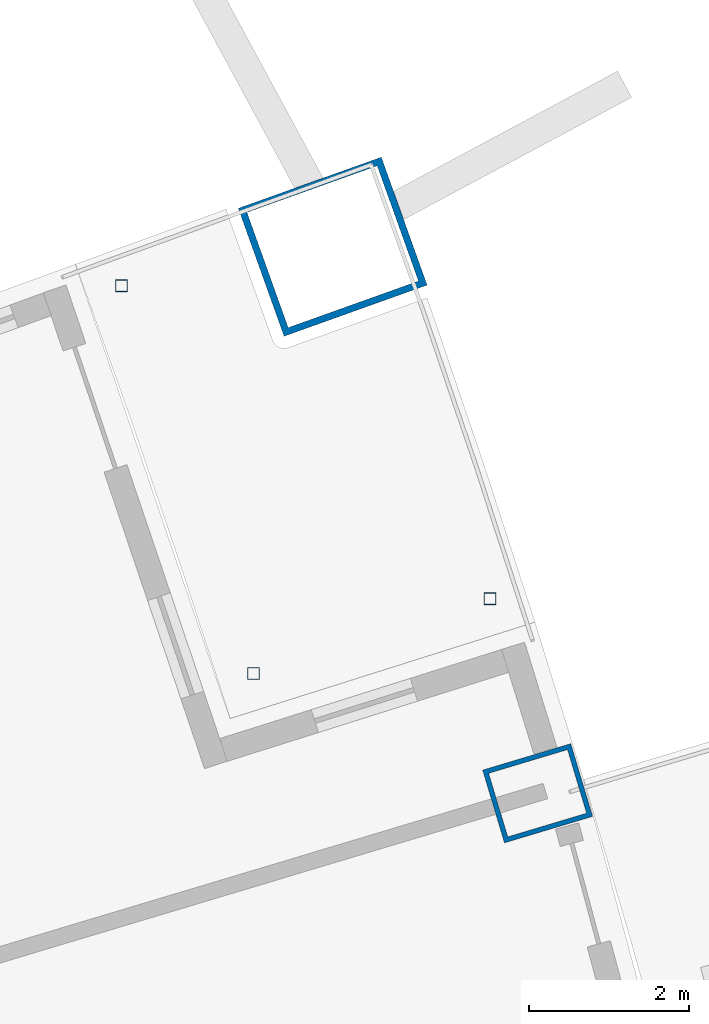
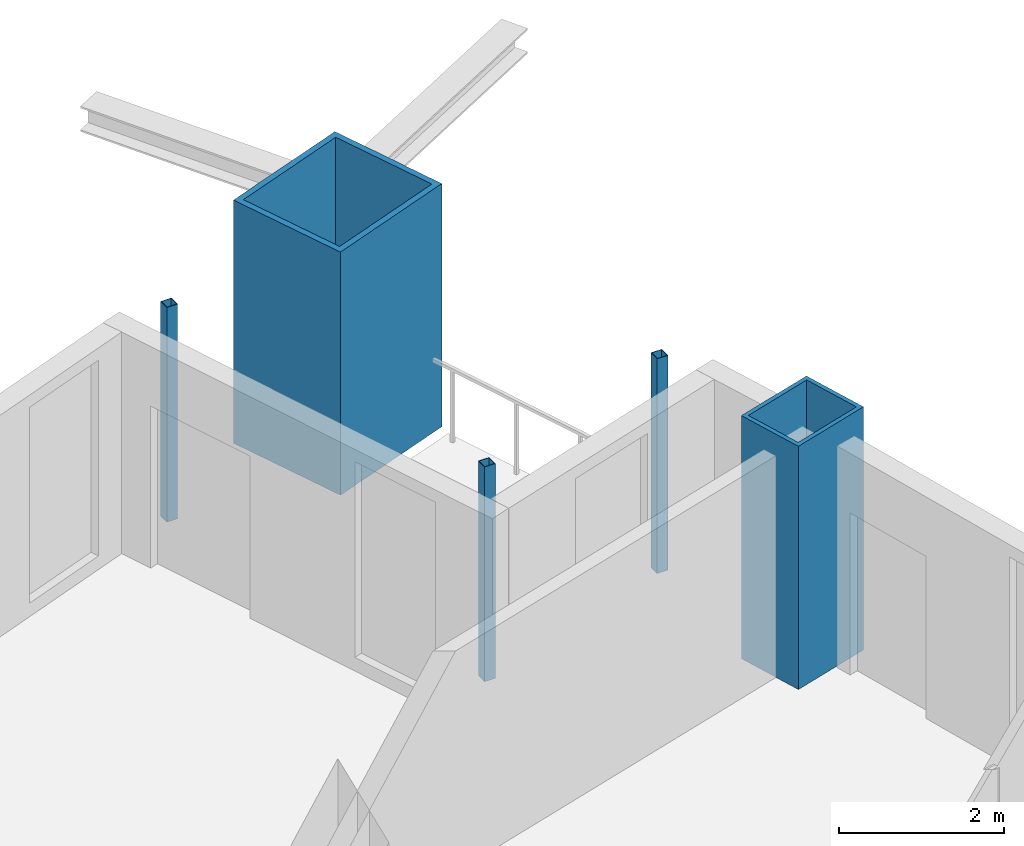
# One storey, part 11 of 25: 5 columns.
"""IFC4 building model written with IfcOpenShell, lengths in metres."""

from ifc_helpers import new_model, si_unit, direction, frame, origin, origin_2d, place, context, subcontext, project, spatial, hollow_rectangle, extrude, material, material_profile, profile_set, type_object, element, save


model = new_model("IFC4")

# Units and contexts
model_context = context("Model", 3, precision=1e-05, world=origin(), true_north=direction((0.0, 1.0)))
body_context = subcontext(model_context, "Body", "Model", "MODEL_VIEW")
ifc_project = project(units=[si_unit("LENGTHUNIT", "METRE"), si_unit("AREAUNIT", "SQUARE_METRE"), si_unit("VOLUMEUNIT", "CUBIC_METRE"), si_unit("PLANEANGLEUNIT", "RADIAN"), si_unit("MASSUNIT", "GRAM", prefix="KILO")], contexts=[model_context])

# Site, building, storey
site_placement = place(None, origin())
site = spatial("IfcSite", under=ifc_project, at=site_placement, CompositionType="ELEMENT")
building_placement = place(site_placement, origin())
building = spatial("IfcBuilding", under=site, at=building_placement, Name="Alderwake Tower", CompositionType="ELEMENT")
storey_placement = place(building_placement, frame((0.0, 0.0, 122.0)))
storey = spatial("IfcBuildingStorey", under=building, at=storey_placement, Name="L30", CompositionType="ELEMENT", Elevation=122.0)

# Columns
ifc_material_1 = material(Name="Steel ASTM A500 Grade C", Category="steel")
ifc_material_profile_1 = material_profile(ifc_material_1, hollow_rectangle(XDim=0.15234375, YDim=0.15234375, WallThickness=0.0087890625, at=origin_2d()), Name="HSS6X6X3/8")
ifc_profile_set_1 = profile_set([ifc_material_profile_1], Name="Steel ASTM A500 Grade C")
column_type_1 = type_object("IfcColumnType", Name="Light post HSS6X6X3/8", PredefinedType="COLUMN", material=ifc_profile_set_1)
for number, where, z_axis, x_axis, name in (
    (1, (54.064697265625, 103.86279296875, 0.0), (0.0, 0.0, 1.0), (1.0, 0.0, 0.0), "Terrace post FN1"),
    (2, (49.458251953125, 107.77685546875, 0.0), (0.0, 0.0, 1.0), (1.0, 0.0, 0.0), "Terrace post FN2"),
    (3, (51.10888671875, 102.92822265625, 0.0), (0.0, 0.0, 1.0), (1.0, 0.0, 0.0), "Terrace post FN3"),
):
    element("IfcColumn", number, at=place(storey_placement, frame(where, z_axis=z_axis, x_axis=x_axis)), inside=storey, type_object=column_type_1, Name=name, PredefinedType="COLUMN", context=body_context, shape_type="SweptSolid", body=[
        extrude(hollow_rectangle(XDim=0.15234375, YDim=0.15234375, WallThickness=0.0087890625, at=origin_2d()), origin(), (0.0, 0.0, 1.0), 3.179931640625),
    ])
ifc_material_2 = material(Name="Steel ASTM A572 Grade 50 concrete filled C70/85", Category="concrete")
ifc_material_profile_2 = material_profile(ifc_material_2, hollow_rectangle(XDim=1.699951171875, YDim=1.89990234375, WallThickness=0.0849609375, at=origin_2d()), Name="BOX 1900X1700X85")
ifc_profile_set_2 = profile_set([ifc_material_profile_2], Name="Steel ASTM A572 Grade 50 concrete filled C70/85")
column_type_2 = type_object("IfcColumnType", Name="Mega column Z2", PredefinedType="COLUMN", material=ifc_profile_set_2)
column_1_placement = place(storey_placement, frame((52.09912109375, 108.263916015625, 0.0), z_axis=(0.0, 0.0, 1.0), x_axis=(-0.336878350236, 0.941548180999, 0.0)))
element("IfcColumn", 4, at=column_1_placement, inside=storey, type_object=column_type_2, Name="Column R13-C5", PredefinedType="COLUMN", context=body_context, shape_type="SweptSolid", body=[
    extrude(hollow_rectangle(XDim=1.699951171875, YDim=1.89990234375, WallThickness=0.0849609375, at=origin_2d()), origin(), (0.0, 0.0, 1.0), 3.60009765625),
])
ifc_material_3 = material(Name="Steel ASTM A572 Grade 50 concrete filled C70/85", Category="concrete")
ifc_material_profile_3 = material_profile(ifc_material_3, hollow_rectangle(XDim=0.949951171875, YDim=1.14990234375, WallThickness=0.06005859375, at=origin_2d()), Name="BOX 1150X950X60")
ifc_profile_set_3 = profile_set([ifc_material_profile_3], Name="Steel ASTM A572 Grade 50 concrete filled C70/85")
column_type_3 = type_object("IfcColumnType", Name="Perimeter column Z2", PredefinedType="COLUMN", material=ifc_profile_set_3)
column_2_placement = place(storey_placement, frame((54.661865234375, 101.429443359375, 0.0), z_axis=(0.0, 0.0, 1.0), x_axis=(-0.287549418125, 0.957765802342, 0.0)))
element("IfcColumn", 5, at=column_2_placement, inside=storey, type_object=column_type_3, Name="Column R12-C5", PredefinedType="COLUMN", context=body_context, shape_type="SweptSolid", body=[
    extrude(hollow_rectangle(XDim=0.949951171875, YDim=1.14990234375, WallThickness=0.06005859375, at=origin_2d()), origin(), (0.0, 0.0, 1.0), 3.60009765625),
])

save(model, "model.ifc")
